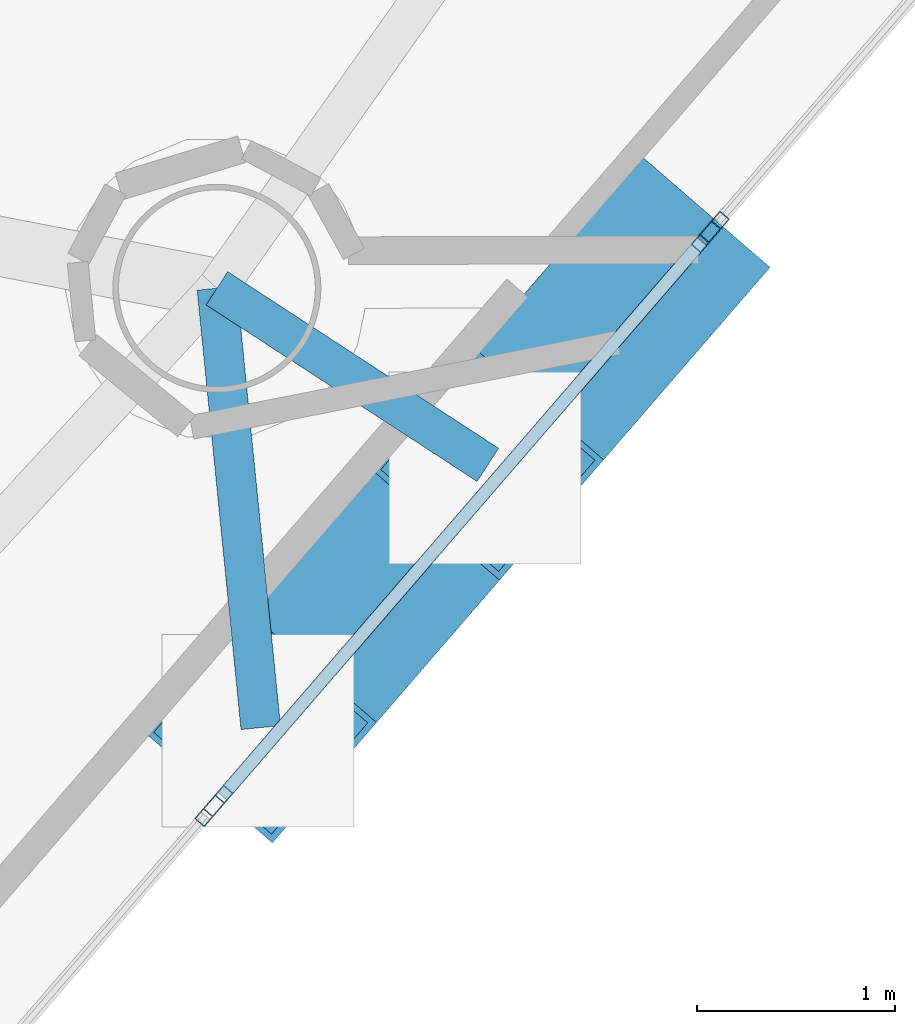
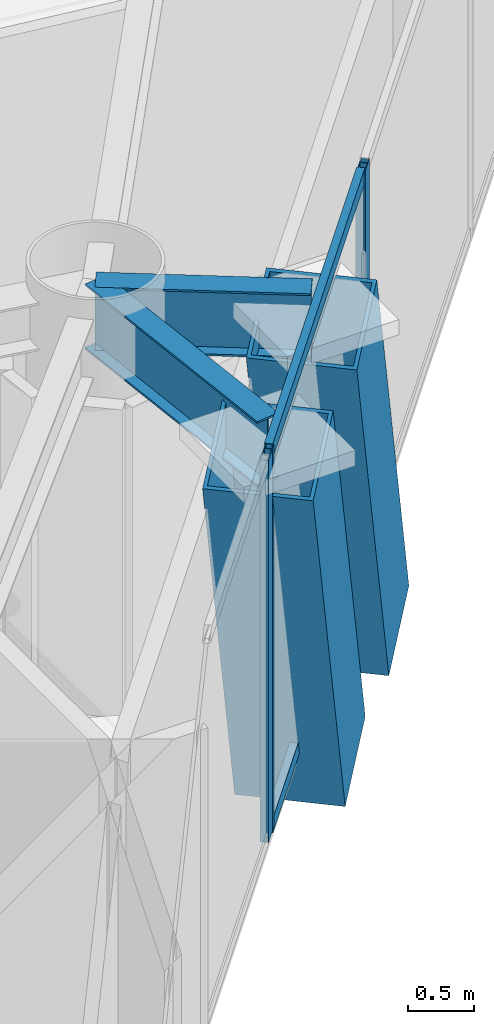
# One storey, part 6 of 21: 8 members, 2 beams, 3 elements without a shape of their own.
"""IFC4 building model written with IfcOpenShell, lengths in metres."""

from ifc_helpers import new_model, si_unit, direction, frame, origin, origin_2d, place, context, subcontext, project, spatial, hollow_rectangle, i_section, extrude, material, layer, layer_set, material_profile, profile_set, type_object, element, aggregate, save


model = new_model("IFC4")

# Units and contexts
model_context = context("Model", 3, precision=1e-05, world=origin(), true_north=direction((0.0, 1.0)))
body_context = subcontext(model_context, "Body", "Model", "MODEL_VIEW")
ifc_project = project(units=[si_unit("LENGTHUNIT", "METRE"), si_unit("AREAUNIT", "SQUARE_METRE"), si_unit("VOLUMEUNIT", "CUBIC_METRE"), si_unit("PLANEANGLEUNIT", "RADIAN"), si_unit("MASSUNIT", "GRAM", prefix="KILO")], contexts=[model_context])

# Site, building, storey
site_placement = place(None, origin())
site = spatial("IfcSite", under=ifc_project, at=site_placement, CompositionType="ELEMENT")
building_placement = place(site_placement, origin())
building = spatial("IfcBuilding", under=site, at=building_placement, Name="Qianvela Tower", CompositionType="ELEMENT")
storey_placement = place(building_placement, frame((0.0, 0.0, 253.800048828125)))
storey = spatial("IfcBuildingStorey", under=building, at=storey_placement, Name="L65", CompositionType="ELEMENT", Elevation=253.800048828125)

# Beams
ifc_material_1 = material(Name="Steel Q355B", Category="steel")
ifc_material_profile_1 = material_profile(ifc_material_1, i_section(OverallWidth=0.199951171875, OverallDepth=0.60009765625, WebThickness=0.010986328125, FlangeThickness=0.01708984375, at=origin_2d()), Name="HN600x200x11x17")
ifc_profile_set_1 = profile_set([ifc_material_profile_1], Name="Steel Q355B")
beam_type = type_object("IfcBeamType", Name="BM-HN600-GIRD", PredefinedType="BEAM", material=ifc_profile_set_1)
beam_1_placement = place(storey_placement, frame((45.43603515625, 20.597900390625, 3.218017578125), z_axis=(0.099265061715, -0.995061027034, 0.0), x_axis=(0.995061027034, 0.099265061715, 0.0)))
element("IfcBeam", 1, at=beam_1_placement, inside=storey, type_object=beam_type, Name="L65 Mega-Brace Column Tie Bracket F3-1", PredefinedType="BEAM", context=body_context, shape_type="SweptSolid", body=[
    extrude(i_section(OverallWidth=0.199951171875, OverallDepth=0.60009765625, WebThickness=0.010986328125, FlangeThickness=0.01708984375, at=origin_2d()), origin(), (0.0, 0.0, 1.0), 2.228271484375),
])
beam_2_placement = place(storey_placement, frame((45.43603515625, 20.597900390625, 3.218017578125), z_axis=(0.837735546302, -0.546076143465, 0.0), x_axis=(0.546076143465, 0.837735546302, 0.0)))
element("IfcBeam", 2, at=beam_2_placement, inside=storey, type_object=beam_type, Name="L65 Mega-Brace Column Tie Bracket F3-2", PredefinedType="BEAM", context=body_context, shape_type="SweptSolid", body=[
    extrude(i_section(OverallWidth=0.199951171875, OverallDepth=0.60009765625, WebThickness=0.010986328125, FlangeThickness=0.01708984375, at=origin_2d()), origin(), (0.0, 0.0, 1.0), 1.63232421875),
])

# Curtain wall, members
ifc_material_2 = material(Name="Anodised Architectural Aluminium and Insulated Spandrel Panel", Category="aluminium")
ifc_layer_1 = layer(ifc_material_2, 0.179931640625)
ifc_layer_set_1 = layer_set([ifc_layer_1], Name="Anodised Architectural Aluminium and Insulated Spandrel Panel")
curtain_wall_type_1 = type_object("IfcCurtainWallType", Name="CW-BRACEBAY", PredefinedType="USERDEFINED", material=ifc_layer_set_1)
curtain_wall_1_placement = place(storey_placement, origin())
curtain_wall_1 = element("IfcCurtainWall", 3, at=curtain_wall_1_placement, inside=storey, type_object=curtain_wall_type_1, Name="L65 CW-BRACEBAY Curtain Wall 06B", ObjectType="CURTAIN_WALL_SYSTEM", PredefinedType="USERDEFINED")
ifc_material_3 = material(Name="Anodised Architectural Aluminium 6063-T6", Category="aluminium")
ifc_material_profile_2 = material_profile(ifc_material_3, hollow_rectangle(XDim=0.06494140625, YDim=0.159912109375, WallThickness=0.0048828125, at=origin_2d()), Name="ALU-MULL-65x160")
ifc_profile_set_2 = profile_set([ifc_material_profile_2], Name="Anodised Architectural Aluminium 6063-T6")
member_type_1 = type_object("IfcMemberType", Name="CW-BRACEBAY-MULL", PredefinedType="MULLION", material=ifc_profile_set_2)
member_1_placement = place(storey_placement, frame((45.4423828125, 18.010009765625, 0.0), z_axis=(0.0, 0.0, 1.0), x_axis=(-0.756475935857, 0.654021527527, 0.0)))
member_1 = element("IfcMember", 4, at=member_1_placement, type_object=member_type_1, Name="CW-9 mullion 1", PredefinedType="MULLION", context=body_context, shape_type="SweptSolid", body=[
    extrude(hollow_rectangle(XDim=0.06494140625, YDim=0.159912109375, WallThickness=0.0048828125, at=origin_2d()), origin(), (0.0, 0.0, 1.0), 3.52001953125),
])
member_2_placement = place(storey_placement, frame((47.90478515625, 20.858154296875, 0.0), z_axis=(0.0, 0.0, 1.0), x_axis=(-0.756475935857, 0.654021527527, 0.0)))
member_2 = element("IfcMember", 5, at=member_2_placement, type_object=member_type_1, Name="CW-9 mullion 2", PredefinedType="MULLION", context=body_context, shape_type="SweptSolid", body=[
    extrude(hollow_rectangle(XDim=0.06494140625, YDim=0.159912109375, WallThickness=0.0048828125, at=origin_2d()), origin(), (0.0, 0.0, 1.0), 3.52001953125),
])
ifc_material_4 = material(Name="Anodised Architectural Aluminium 6063-T6", Category="aluminium")
ifc_material_profile_3 = material_profile(ifc_material_4, hollow_rectangle(XDim=0.06494140625, YDim=0.1298828125, WallThickness=0.00439453125, at=origin_2d()), Name="ALU-TRAN-65x130")
ifc_profile_set_3 = profile_set([ifc_material_profile_3], Name="Anodised Architectural Aluminium 6063-T6")
member_type_2 = type_object("IfcMemberType", Name="CW-BRACEBAY-TRAN", PredefinedType="USERDEFINED", material=ifc_profile_set_3)
member_3_placement = place(storey_placement, frame((45.463623046875, 18.03466796875, 0.032470703125), z_axis=(0.654045820665, 0.756454932214, 0.0), x_axis=(-0.756454932214, 0.654045820665, 0.0)))
member_3 = element("IfcMember", 6, at=member_3_placement, type_object=member_type_2, Name="CW-9 transom 1.1", ObjectType="TRANSOM", PredefinedType="USERDEFINED", context=body_context, shape_type="SweptSolid", body=[
    extrude(hollow_rectangle(XDim=0.06494140625, YDim=0.1298828125, WallThickness=0.00439453125, at=origin_2d()), origin(), (0.0, 0.0, 1.0), 3.699951171875),
])
member_4_placement = place(storey_placement, frame((45.463623046875, 18.03466796875, 3.487548828125), z_axis=(0.654045820665, 0.756454932214, 0.0), x_axis=(-0.756454932214, 0.654045820665, 0.0)))
member_4 = element("IfcMember", 7, at=member_4_placement, type_object=member_type_2, Name="CW-9 transom 1.2", ObjectType="TRANSOM", PredefinedType="USERDEFINED", context=body_context, shape_type="SweptSolid", body=[
    extrude(hollow_rectangle(XDim=0.06494140625, YDim=0.1298828125, WallThickness=0.00439453125, at=origin_2d()), origin(), (0.0, 0.0, 1.0), 3.699951171875),
])
aggregate(curtain_wall_1, [member_1, member_2, member_3, member_4])

# Curtain wall, member
ifc_material_5 = material(Name="Anodised Architectural Aluminium and Low-E Glass", Category="aluminium")
ifc_layer_2 = layer(ifc_material_5, 0.159912109375)
ifc_layer_set_2 = layer_set([ifc_layer_2], Name="Anodised Architectural Aluminium and Low-E Glass")
curtain_wall_type_2 = type_object("IfcCurtainWallType", Name="CW-COLIV-Z56", PredefinedType="USERDEFINED", material=ifc_layer_set_2)
curtain_wall_2_placement = place(storey_placement, origin())
curtain_wall_2 = element("IfcCurtainWall", 8, at=curtain_wall_2_placement, inside=storey, type_object=curtain_wall_type_2, Name="L65 CW-COLIV-Z56 Curtain Wall 06A", ObjectType="CURTAIN_WALL_SYSTEM", PredefinedType="USERDEFINED")
ifc_material_6 = material(Name="Anodised Architectural Aluminium 6063-T6", Category="aluminium")
ifc_material_profile_4 = material_profile(ifc_material_6, hollow_rectangle(XDim=0.06494140625, YDim=0.159912109375, WallThickness=0.0048828125, at=origin_2d()), Name="ALU-MULL-65x160")
ifc_profile_set_4 = profile_set([ifc_material_profile_4], Name="Anodised Architectural Aluminium 6063-T6")
member_type_3 = type_object("IfcMemberType", Name="CW-COLIV-Z56-MULL", PredefinedType="MULLION", material=ifc_profile_set_4)
member_5_placement = place(storey_placement, frame((45.39990234375, 17.960693359375, 0.0), z_axis=(0.0, 0.0, 1.0), x_axis=(-0.756458667743, 0.65404150021, 0.0)))
member_5 = element("IfcMember", 9, at=member_5_placement, type_object=member_type_3, Name="CW-5 mullion 3", PredefinedType="MULLION", context=body_context, shape_type="SweptSolid", body=[
    extrude(hollow_rectangle(XDim=0.06494140625, YDim=0.159912109375, WallThickness=0.0048828125, at=origin_2d()), origin(), (0.0, 0.0, 1.0), 3.52001953125),
])
aggregate(curtain_wall_2, [member_5])

curtain_wall_3_placement = place(storey_placement, origin())
curtain_wall_3 = element("IfcCurtainWall", 10, at=curtain_wall_3_placement, inside=storey, type_object=curtain_wall_type_2, Name="L65 CW-COLIV-Z56 Curtain Wall 06C", ObjectType="CURTAIN_WALL_SYSTEM", PredefinedType="USERDEFINED")
member_6_placement = place(storey_placement, frame((47.947265625, 20.9072265625, 0.0), z_axis=(0.0, 0.0, 1.0), x_axis=(-0.756457693137, 0.654042627429, 0.0)))
member_6 = element("IfcMember", 11, at=member_6_placement, type_object=member_type_3, Name="CW-5 mullion 1", PredefinedType="MULLION", context=body_context, shape_type="SweptSolid", body=[
    extrude(hollow_rectangle(XDim=0.06494140625, YDim=0.159912109375, WallThickness=0.0048828125, at=origin_2d()), origin(), (0.0, 0.0, 1.0), 3.52001953125),
])
aggregate(curtain_wall_3, [member_6])

# Members
ifc_material_7 = material(Name="Steel Q420GJC", Category="steel")
ifc_material_profile_5 = material_profile(ifc_material_7, hollow_rectangle(XDim=0.85009765625, YDim=0.85009765625, WallThickness=0.031982421875, at=origin_2d()), Name="MBOX-850x850x32")
ifc_profile_set_5 = profile_set([ifc_material_profile_5], Name="Steel Q420GJC")
member_type_4 = type_object("IfcMemberType", Name="MBR-MBRACE-850", PredefinedType="BRACE", material=ifc_profile_set_5)
for number, where, z_axis, x_axis, name in (
    (12, (46.497314453125, 19.352294921875, -0.48193359375), (-0.214495629115, -0.248094334169, 0.944690862898), (0.756472453243, -0.654025555681, 0.0), "L65 Tier 11 Exterior Mega-Brace F3A"),
    (13, (47.643310546875, 20.677978515625, -0.48193359375), (-0.214439476616, -0.248039150423, 0.944718101195), (0.756485191651, -0.654010821633, 0.0), "L65 Tier 11 Exterior Mega-Brace F3B"),
):
    element("IfcMember", number, at=place(storey_placement, frame(where, z_axis=z_axis, x_axis=x_axis)), inside=storey, type_object=member_type_4, Name=name, PredefinedType="BRACE", context=body_context, shape_type="SweptSolid", body=[
        extrude(hollow_rectangle(XDim=0.85009765625, YDim=0.85009765625, WallThickness=0.031982421875, at=origin_2d()), origin(), (0.0, 0.0, 1.0), 3.91650390625),
    ])

save(model, "model.ifc")
